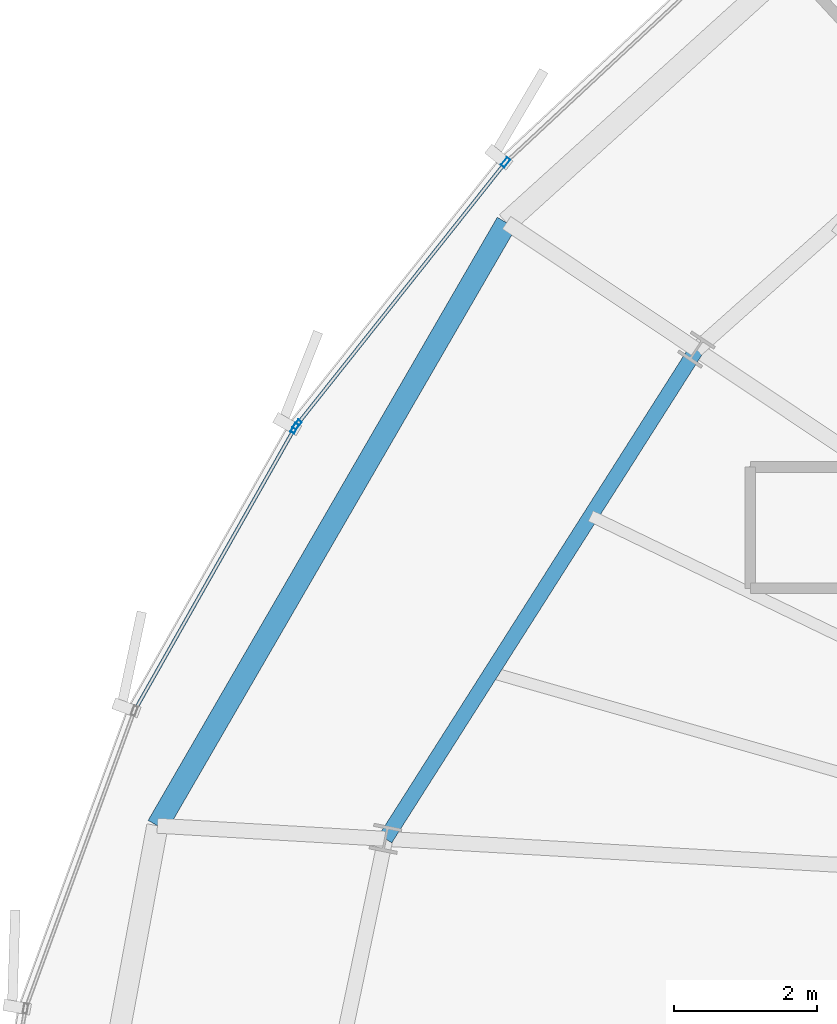
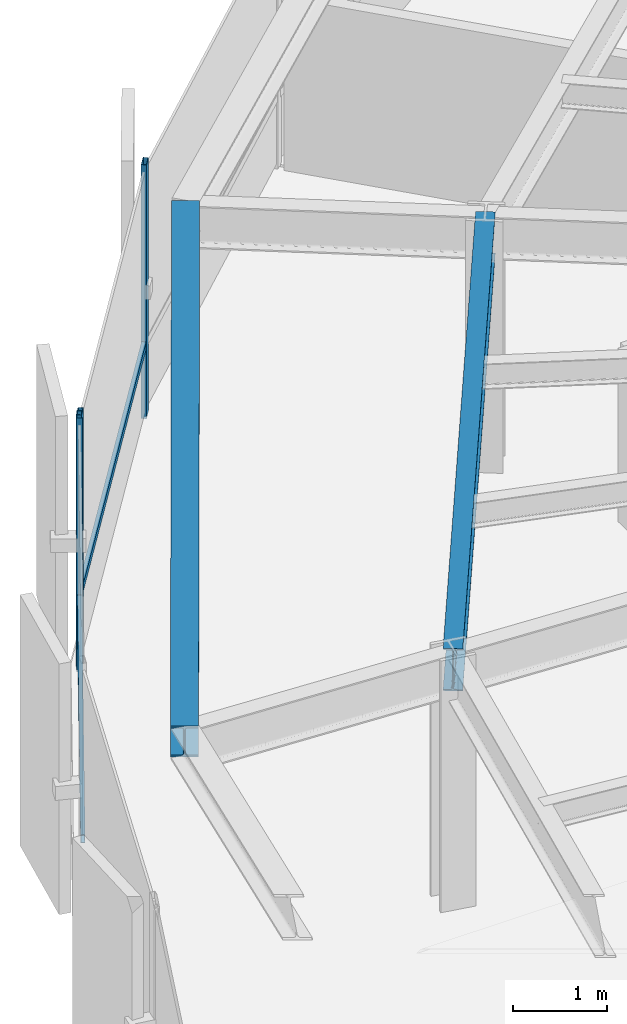
# One storey, part 17 of 32: 5 members, 2 beams, 2 elements without a shape of their own.
"""IFC4 building model written with IfcOpenShell, lengths in metres."""

from ifc_helpers import new_model, si_unit, direction, frame, origin, origin_2d, place, context, subcontext, project, spatial, hollow_rectangle, i_section, extrude, source, transform, mapped, material, layer, layer_set, material_profile, profile_set, type_object, element, aggregate, save


model = new_model("IFC4")

# Units and contexts
model_context = context("Model", 3, precision=1e-05, world=origin(), true_north=direction((0.0, 1.0)))
body_context = subcontext(model_context, "Body", "Model", "MODEL_VIEW")
ifc_project = project(units=[si_unit("LENGTHUNIT", "METRE"), si_unit("AREAUNIT", "SQUARE_METRE"), si_unit("VOLUMEUNIT", "CUBIC_METRE"), si_unit("PLANEANGLEUNIT", "RADIAN"), si_unit("MASSUNIT", "GRAM", prefix="KILO"), si_unit("THERMODYNAMICTEMPERATUREUNIT", "KELVIN")], contexts=[model_context])

# Site, building, storey
site_placement = place(None, origin())
site = spatial("IfcSite", under=ifc_project, at=site_placement, CompositionType="ELEMENT")
building_placement = place(site_placement, origin())
building = spatial("IfcBuilding", under=site, at=building_placement, Name="Kethvar Cultural Tower", CompositionType="ELEMENT")
storey_placement = place(building_placement, frame((0.0, 0.0, 157.199951171875)))
storey = spatial("IfcBuildingStorey", under=building, at=storey_placement, Name="L40", CompositionType="ELEMENT", Elevation=157.199951171875)

# Beams
ifc_material_1 = material(Name="Steel S355J2", Category="steel")
ifc_material_profile_1 = material_profile(ifc_material_1, i_section(OverallWidth=0.2099609375, OverallDepth=0.550048828125, WebThickness=0.010986328125, FlangeThickness=0.01708984375, FilletRadius=0.02392578125, at=origin_2d()), Name="Steel S355J2 — IPE550")
ifc_profile_set_1 = profile_set([ifc_material_profile_1], Name="Steel S355J2 — IPE550")
beam_type_1 = type_object("IfcBeamType", Name="BM-IPE550", PredefinedType="BEAM", material=ifc_profile_set_1)
shared_shape_1 = source(origin(), body_context, "Body", "SweptSolid", [
    extrude(i_section(OverallWidth=0.2099609375, OverallDepth=0.550048828125, WebThickness=0.010986328125, FlangeThickness=0.01708984375, FilletRadius=0.02392578125, at=origin_2d()), origin(), (0.0, 0.0, 1.0), 8.122314453125),
])
beam_1_placement = place(storey_placement, frame((30.345947265625, 38.794189453125, 3.02294921875), z_axis=(-0.536478664647, -0.843913883272, 0.0), x_axis=(0.843913883272, -0.536478664647, 0.0)))
element("IfcBeam", 1, at=beam_1_placement, inside=storey, type_object=beam_type_1, Name="L40 Column Ring Tie Beam CR-07", PredefinedType="BEAM", context=body_context, shape_type="MappedRepresentation", body=[
    mapped(shared_shape_1, transform((0.0, 0.0, 0.0), scale=1.0)),
])
ifc_material_profile_2 = material_profile(ifc_material_1, i_section(OverallWidth=0.300048828125, OverallDepth=0.39990234375, WebThickness=0.013427734375, FlangeThickness=0.02392578125, FilletRadius=0.027099609375, at=origin_2d()), Name="Steel S355J2 — HEB400")
ifc_profile_set_2 = profile_set([ifc_material_profile_2], Name="Steel S355J2 — HEB400")
beam_type_2 = type_object("IfcBeamType", Name="BM-SP400", PredefinedType="SPANDREL", material=ifc_profile_set_2)
shared_shape_2 = source(origin(), body_context, "Body", "SweptSolid", [
    extrude(i_section(OverallWidth=0.300048828125, OverallDepth=0.39990234375, WebThickness=0.013427734375, FlangeThickness=0.02392578125, FilletRadius=0.027099609375, at=origin_2d()), origin(), (0.0, 0.0, 1.0), 9.762939453125),
])
beam_2_placement = place(storey_placement, frame((27.685302734375, 40.572021484375, 3.09814453125), z_axis=(-0.501043170838, -0.865422290536, 0.0), x_axis=(0.865422290536, -0.501043170838, 0.0)))
element("IfcBeam", 2, at=beam_2_placement, inside=storey, type_object=beam_type_2, Name="L40 Perimeter Spandrel Beam SP-07", PredefinedType="SPANDREL", context=body_context, shape_type="MappedRepresentation", body=[
    mapped(shared_shape_2, transform((0.0, 0.0, 0.0), scale=1.0)),
])

# Curtain wall, members
ifc_material_2 = material(Name="Aluminium 6063-T6", Category="aluminium")
ifc_layer = layer(ifc_material_2, 0.179931640625, Name="Aluminium 6063-T6", Category="aluminium")
ifc_layer_set = layer_set([ifc_layer], Name="Aluminium 6063-T6 (180 mm)")
curtain_wall_type = type_object("IfcCurtainWallType", Name="CW-SYS-04-Z34", PredefinedType="NOTDEFINED", material=ifc_layer_set)
curtain_wall_1_placement = place(storey_placement, origin())
curtain_wall_1 = element("IfcCurtainWall", 3, at=curtain_wall_1_placement, inside=storey, type_object=curtain_wall_type, Name="L40 Curtain Wall Run 02", PredefinedType="NOTDEFINED")
ifc_material_profile_3 = material_profile(ifc_material_2, hollow_rectangle(XDim=0.06005859375, YDim=0.139892578125, WallThickness=0.0048828125, at=origin_2d()), Name="Aluminium 6063-T6 — RHS140x60x5")
ifc_profile_set_3 = profile_set([ifc_material_profile_3], Name="Aluminium 6063-T6 — RHS140x60x5")
member_type_1 = type_object("IfcMemberType", Name="CW-SYS-04-Z34-MUL", PredefinedType="MULLION", material=ifc_profile_set_3)
shared_shape_3 = source(origin(), body_context, "Body", "SweptSolid", [
    extrude(hollow_rectangle(XDim=0.06005859375, YDim=0.139892578125, WallThickness=0.0048828125, at=origin_2d()), origin(), (0.0, 0.0, 1.0), 3.300048828125),
])
member_1_placement = place(storey_placement, frame((27.67138671875, 41.416748046875, 0.0), z_axis=(0.0, 0.0, 1.0), x_axis=(0.782836267812, -0.62222775396, 0.0)))
member_1 = element("IfcMember", 4, at=member_1_placement, type_object=member_type_1, Name="CW-L40-R02 Mullion 6", PredefinedType="MULLION", context=body_context, shape_type="MappedRepresentation", body=[
    mapped(shared_shape_3, transform((0.0, 0.0, 0.0), scale=1.0)),
])
member_2_placement = place(storey_placement, frame((24.750244140625, 37.74169921875, 0.0), z_axis=(0.0, 0.0, 1.0), x_axis=(0.782836267812, -0.62222775396, 0.0)))
member_2 = element("IfcMember", 5, at=member_2_placement, type_object=member_type_1, Name="CW-L40-R02 Mullion 7", PredefinedType="MULLION", context=body_context, shape_type="MappedRepresentation", body=[
    mapped(shared_shape_3, transform((0.0, 0.0, 0.0), scale=1.0)),
])

# Curtain wall, member
curtain_wall_2_placement = place(storey_placement, origin())
curtain_wall_2 = element("IfcCurtainWall", 6, at=curtain_wall_2_placement, inside=storey, type_object=curtain_wall_type, Name="L40 Curtain Wall Run 03", PredefinedType="NOTDEFINED")
member_3_placement = place(storey_placement, frame((24.71630859375, 37.69140625, 0.0), z_axis=(0.0, 0.0, 1.0), x_axis=(0.869977285188, -0.49309180003, 0.0)))
member_3 = element("IfcMember", 7, at=member_3_placement, type_object=member_type_1, Name="CW-L40-R03 Mullion 1", PredefinedType="MULLION", context=body_context, shape_type="MappedRepresentation", body=[
    mapped(shared_shape_3, transform((0.0, 0.0, 0.0), scale=1.0)),
])

# Member
ifc_material_profile_4 = material_profile(ifc_material_2, hollow_rectangle(XDim=0.050048828125, YDim=0.10009765625, WallThickness=0.00390625, at=origin_2d()), Name="Aluminium 6063-T6 — RHS100x50x4")
ifc_profile_set_4 = profile_set([ifc_material_profile_4], Name="Aluminium 6063-T6 — RHS100x50x4")
member_type_2 = type_object("IfcMemberType", Name="CW-SYS-04-Z34-TRN", PredefinedType="USERDEFINED", material=ifc_profile_set_4)
shared_shape_4 = source(origin(), body_context, "Body", "SweptSolid", [
    extrude(hollow_rectangle(XDim=0.050048828125, YDim=0.10009765625, WallThickness=0.00390625, at=origin_2d()), origin(), (0.0, 0.0, 1.0), 4.647216796875),
])
member_4_placement = place(storey_placement, frame((27.64453125, 41.3828125, 0.949951171875), z_axis=(-0.622231743011, -0.782833097147, 0.0), x_axis=(0.782833097147, -0.622231743011, 0.0)))
member_4 = element("IfcMember", 8, at=member_4_placement, type_object=member_type_2, Name="CW-L40-R02 Transom 6", ObjectType="TRANSOM", PredefinedType="USERDEFINED", context=body_context, shape_type="MappedRepresentation", body=[
    mapped(shared_shape_4, transform((0.0, 0.0, 0.0), scale=1.0)),
])

aggregate(curtain_wall_1, [member_1, member_2, member_4])

shared_shape_5 = source(origin(), body_context, "Body", "SweptSolid", [
    extrude(hollow_rectangle(XDim=0.050048828125, YDim=0.10009765625, WallThickness=0.00390625, at=origin_2d()), origin(), (0.0, 0.0, 1.0), 4.521728515625),
])
member_5_placement = place(storey_placement, frame((24.71435546875, 37.687744140625, 0.949951171875), z_axis=(-0.493065701439, -0.869992077013, 0.0), x_axis=(0.869992077013, -0.493065701439, 0.0)))
member_5 = element("IfcMember", 9, at=member_5_placement, type_object=member_type_2, Name="CW-L40-R03 Transom 1", ObjectType="TRANSOM", PredefinedType="USERDEFINED", context=body_context, shape_type="MappedRepresentation", body=[
    mapped(shared_shape_5, transform((0.0, 0.0, 0.0), scale=1.0)),
])

aggregate(curtain_wall_2, [member_3, member_5])

save(model, "model.ifc")
